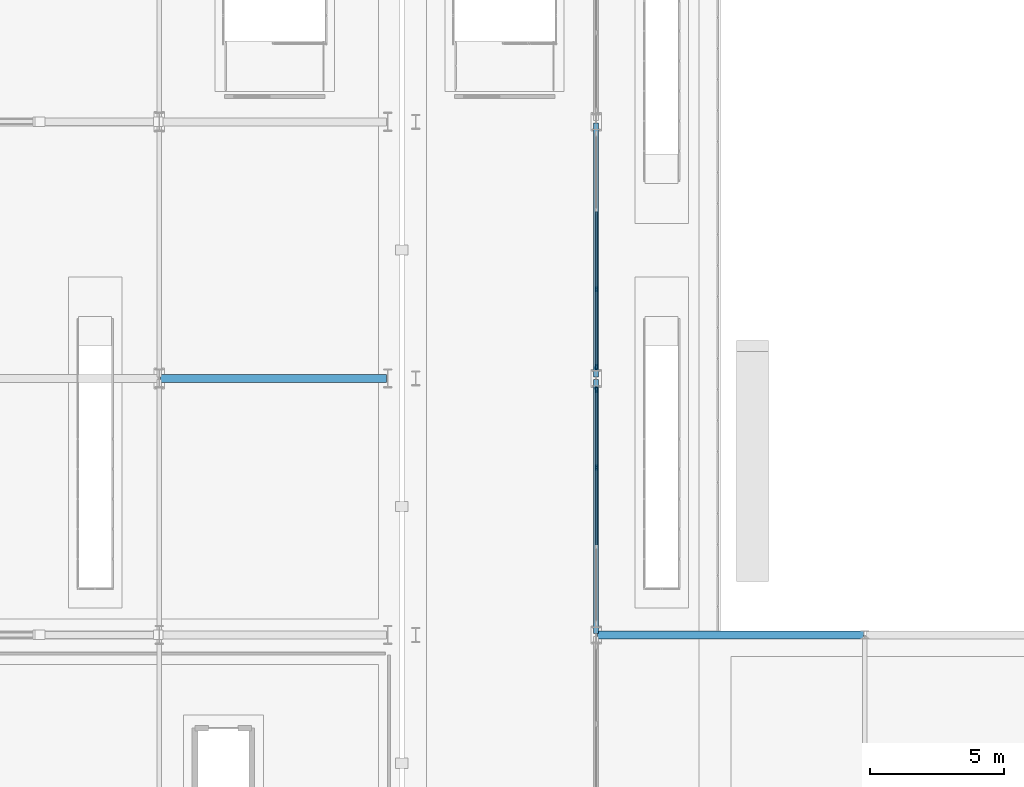
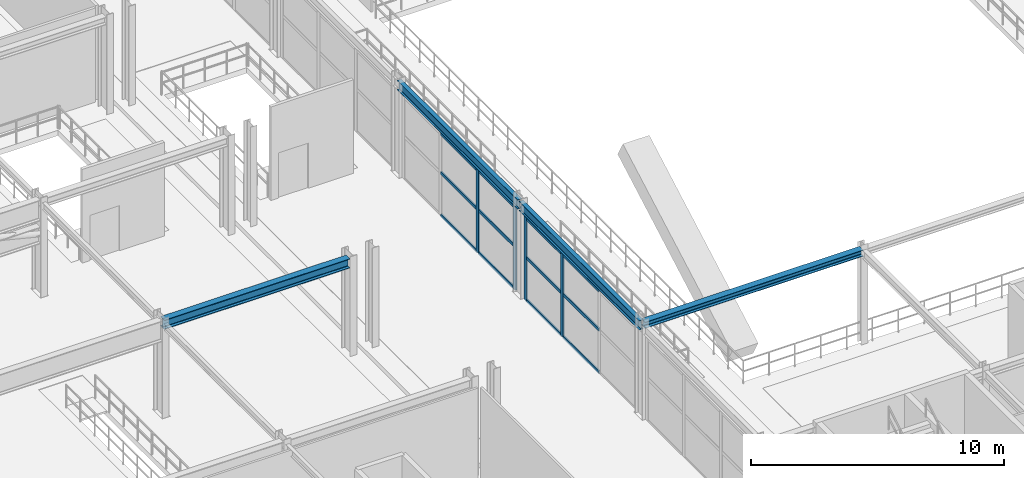
# One storey, part 38 of 125: 16 members, 4 beams, 2 elements without a shape of their own.
"""IFC4 building model written with IfcOpenShell, lengths in metres."""

from ifc_helpers import new_model, si_unit, direction, frame, origin, origin_2d, place, context, subcontext, project, spatial, rectangle, i_section, extrude, material, layer, layer_set, material_profile, profile_set, type_object, element, aggregate, save


model = new_model("IFC4")

# Units and contexts
model_context = context("Model", 3, precision=1e-05, world=origin(), true_north=direction((0.0, 1.0)))
body_context = subcontext(model_context, "Body", "Model", "MODEL_VIEW")
ifc_project = project(units=[si_unit("LENGTHUNIT", "METRE"), si_unit("AREAUNIT", "SQUARE_METRE"), si_unit("VOLUMEUNIT", "CUBIC_METRE"), si_unit("PLANEANGLEUNIT", "RADIAN"), si_unit("MASSUNIT", "GRAM", prefix="KILO")], contexts=[model_context])

# Site, building, storey
site_placement = place(None, origin())
site = spatial("IfcSite", under=ifc_project, at=site_placement, CompositionType="ELEMENT")
building_placement = place(site_placement, origin())
building = spatial("IfcBuilding", under=site, at=building_placement, Name="Myrtia Square Station", CompositionType="ELEMENT")
storey_placement = place(building_placement, frame((0.0, 0.0, 6.0)))
storey = spatial("IfcBuildingStorey", under=building, at=storey_placement, Name="L01", CompositionType="ELEMENT", Elevation=6.0)

# Beams
ifc_material_1 = material(Name="Steel S355", Category="steel")
ifc_material_profile_1 = material_profile(ifc_material_1, i_section(OverallWidth=0.300048828125, OverallDepth=0.300048828125, WebThickness=0.010986328125, FlangeThickness=0.01904296875, FilletRadius=0.027099609375, at=origin_2d()), Name="HEB 300")
ifc_profile_set_1 = profile_set([ifc_material_profile_1], Name="Steel S355")
beam_type_1 = type_object("IfcBeamType", Name="BM-HEB300", PredefinedType="BEAM", material=ifc_profile_set_1)
beam_1_placement = place(storey_placement, frame((79.39990234375, 48.0, 4.39990234375), z_axis=(1.0, 0.0, 0.0), x_axis=(0.0, 1.0, 0.0)))
element("IfcBeam", 1, at=beam_1_placement, inside=storey, type_object=beam_type_1, Name="Structural girder BMX-L01-0540", PredefinedType="BEAM", context=body_context, shape_type="SweptSolid", body=[
    extrude(i_section(OverallWidth=0.300048828125, OverallDepth=0.300048828125, WebThickness=0.010986328125, FlangeThickness=0.01904296875, FilletRadius=0.027099609375, at=origin_2d()), origin(), (0.0, 0.0, 1.0), 9.9501953125),
])
ifc_material_profile_2 = material_profile(ifc_material_1, i_section(OverallWidth=0.300048828125, OverallDepth=0.449951171875, WebThickness=0.013916015625, FlangeThickness=0.02587890625, FilletRadius=0.027099609375, at=origin_2d()), Name="HEB 450")
ifc_profile_set_2 = profile_set([ifc_material_profile_2], Name="Steel S355")
beam_type_2 = type_object("IfcBeamType", Name="BM-HEB450", PredefinedType="BEAM", material=ifc_profile_set_2)
beam_2_placement = place(storey_placement, frame((63.050048828125, 57.60009765625, 4.330078125), z_axis=(1.0, 0.0, 0.0), x_axis=(0.0, 1.0, 0.0)))
element("IfcBeam", 2, at=beam_2_placement, inside=storey, type_object=beam_type_2, Name="Structural girder BMX-L01-0471", PredefinedType="BEAM", context=body_context, shape_type="SweptSolid", body=[
    extrude(i_section(OverallWidth=0.300048828125, OverallDepth=0.449951171875, WebThickness=0.013916015625, FlangeThickness=0.02587890625, FilletRadius=0.027099609375, at=origin_2d()), origin(), (0.0, 0.0, 1.0), 8.449951171875),
])
ifc_material_profile_3 = material_profile(ifc_material_1, i_section(OverallWidth=0.18994140625, OverallDepth=0.449951171875, WebThickness=0.009521484375, FlangeThickness=0.0146484375, FilletRadius=0.02099609375, at=origin_2d()), Name="IPE 450")
ifc_profile_set_3 = profile_set([ifc_material_profile_3], Name="Steel S355")
beam_type_3 = type_object("IfcBeamType", Name="BM-IPE450", PredefinedType="BEAM", material=ifc_profile_set_3)
for number, where, z_axis, x_axis, name in (
    (3, (79.35009765625, 48.050048828125, 4.324951171875), (0.0, 1.0, 0.0), (-1.0, 0.0, 0.0), "Structural girder BMY-L01-0554"),
    (4, (79.35009765625, 57.64990234375, 4.324951171875), (0.0, 1.0, 0.0), (-1.0, 0.0, 0.0), "Structural girder BMY-L01-0555"),
):
    element("IfcBeam", number, at=place(storey_placement, frame(where, z_axis=z_axis, x_axis=x_axis)), inside=storey, type_object=beam_type_3, Name=name, PredefinedType="BEAM", context=body_context, shape_type="SweptSolid", body=[
        extrude(i_section(OverallWidth=0.18994140625, OverallDepth=0.449951171875, WebThickness=0.009521484375, FlangeThickness=0.0146484375, FilletRadius=0.02099609375, at=origin_2d()), origin(), (0.0, 0.0, 1.0), 9.5),
    ])

# Curtain wall, members
ifc_material_2 = material(Name="Dark bronze anodised aluminium", Category="aluminium")
ifc_layer = layer(ifc_material_2, 0.159912109375, Name="Dark bronze anodised aluminium")
ifc_layer_set = layer_set([ifc_layer], Name="Dark bronze anodised aluminium")
curtain_wall_type = type_object("IfcCurtainWallType", Name="CW-TYPE-03-880x400", PredefinedType="USERDEFINED", material=ifc_layer_set)
curtain_wall_1_placement = place(storey_placement, origin())
curtain_wall_1 = element("IfcCurtainWall", 5, at=curtain_wall_1_placement, inside=storey, type_object=curtain_wall_type, Name="Concourse curtain wall CW-L01-009", ObjectType="CONCOURSE CURTAIN WALL", PredefinedType="USERDEFINED")
ifc_material_profile_4 = material_profile(ifc_material_2, rectangle(XDim=0.06494140625, YDim=0.199951171875, at=origin_2d()), Name="ALU-M 65x200")
ifc_profile_set_4 = profile_set([ifc_material_profile_4], Name="Dark bronze anodised aluminium")
member_type_1 = type_object("IfcMemberType", Name="CWM-65x200", PredefinedType="MULLION", material=ifc_profile_set_4)
member_1_placement = place(storey_placement, frame((79.35009765625, 54.2666015625, 0.0), z_axis=(0.0, 0.0, 1.0), x_axis=(-1.0, 0.0, 0.0)))
member_1 = element("IfcMember", 6, at=member_1_placement, type_object=member_type_1, Name="CW-009 mullion 3", PredefinedType="MULLION", context=body_context, shape_type="SweptSolid", body=[
    extrude(rectangle(XDim=0.06494140625, YDim=0.199951171875, at=origin_2d()), origin(), (0.0, 0.0, 1.0), 4.0),
])
member_2_placement = place(storey_placement, frame((79.35009765625, 57.16748046875, 0.0), z_axis=(0.0, 0.0, 1.0), x_axis=(-1.0, 0.0, 0.0)))
member_2 = element("IfcMember", 7, at=member_2_placement, type_object=member_type_1, Name="CW-009 mullion 4", PredefinedType="MULLION", context=body_context, shape_type="SweptSolid", body=[
    extrude(rectangle(XDim=0.06494140625, YDim=0.199951171875, at=origin_2d()), origin(), (0.0, 0.0, 1.0), 4.0),
])

curtain_wall_2_placement = place(storey_placement, origin())
curtain_wall_2 = element("IfcCurtainWall", 8, at=curtain_wall_2_placement, inside=storey, type_object=curtain_wall_type, Name="Concourse curtain wall CW-L01-011", ObjectType="CONCOURSE CURTAIN WALL", PredefinedType="USERDEFINED")
member_3_placement = place(storey_placement, frame((79.35009765625, 58.032470703125, 0.0), z_axis=(0.0, 0.0, 1.0), x_axis=(-1.0, 0.0, 0.0)))
member_3 = element("IfcMember", 9, at=member_3_placement, type_object=member_type_1, Name="CW-011 mullion 1", PredefinedType="MULLION", context=body_context, shape_type="SweptSolid", body=[
    extrude(rectangle(XDim=0.06494140625, YDim=0.199951171875, at=origin_2d()), origin(), (0.0, 0.0, 1.0), 4.0),
])
member_4_placement = place(storey_placement, frame((79.35009765625, 60.933349609375, 0.0), z_axis=(0.0, 0.0, 1.0), x_axis=(-1.0, 0.0, 0.0)))
member_4 = element("IfcMember", 10, at=member_4_placement, type_object=member_type_1, Name="CW-011 mullion 2", PredefinedType="MULLION", context=body_context, shape_type="SweptSolid", body=[
    extrude(rectangle(XDim=0.06494140625, YDim=0.199951171875, at=origin_2d()), origin(), (0.0, 0.0, 1.0), 4.0),
])

# Member
ifc_material_profile_5 = material_profile(ifc_material_2, rectangle(XDim=0.06494140625, YDim=0.14990234375, at=origin_2d()), Name="ALU-T 65x150")
ifc_profile_set_5 = profile_set([ifc_material_profile_5], Name="Dark bronze anodised aluminium")
member_type_2 = type_object("IfcMemberType", Name="CWT-65x150", PredefinedType="USERDEFINED", material=ifc_profile_set_5)
member_5_placement = place(storey_placement, frame((79.35009765625, 51.36572265625, 0.032470703125), z_axis=(0.0, 1.0, 0.0), x_axis=(-1.0, 0.0, 0.0)))
member_5 = element("IfcMember", 11, at=member_5_placement, type_object=member_type_2, Name="CW-009 transom 2.1", ObjectType="TRANSOM", PredefinedType="USERDEFINED", context=body_context, shape_type="SweptSolid", body=[
    extrude(rectangle(XDim=0.06494140625, YDim=0.14990234375, at=origin_2d()), origin(), (0.0, 0.0, 1.0), 2.868408203125),
])

member_6_placement = place(storey_placement, frame((79.35009765625, 51.36572265625, 2.080078125), z_axis=(0.0, 1.0, 0.0), x_axis=(-1.0, 0.0, 0.0)))
member_6 = element("IfcMember", 12, at=member_6_placement, type_object=member_type_2, Name="CW-009 transom 2.2", ObjectType="TRANSOM", PredefinedType="USERDEFINED", context=body_context, shape_type="SweptSolid", body=[
    extrude(rectangle(XDim=0.06494140625, YDim=0.14990234375, at=origin_2d()), origin(), (0.0, 0.0, 1.0), 2.868408203125),
])

member_7_placement = place(storey_placement, frame((79.35009765625, 51.36572265625, 3.967529296875), z_axis=(0.0, 1.0, 0.0), x_axis=(-1.0, 0.0, 0.0)))
member_7 = element("IfcMember", 13, at=member_7_placement, type_object=member_type_2, Name="CW-009 transom 2.3", ObjectType="TRANSOM", PredefinedType="USERDEFINED", context=body_context, shape_type="SweptSolid", body=[
    extrude(rectangle(XDim=0.06494140625, YDim=0.14990234375, at=origin_2d()), origin(), (0.0, 0.0, 1.0), 2.868408203125),
])

member_8_placement = place(storey_placement, frame((79.35009765625, 54.299072265625, 0.032470703125), z_axis=(0.0, 1.0, 0.0), x_axis=(-1.0, 0.0, 0.0)))
member_8 = element("IfcMember", 14, at=member_8_placement, type_object=member_type_2, Name="CW-009 transom 3.1", ObjectType="TRANSOM", PredefinedType="USERDEFINED", context=body_context, shape_type="SweptSolid", body=[
    extrude(rectangle(XDim=0.06494140625, YDim=0.14990234375, at=origin_2d()), origin(), (0.0, 0.0, 1.0), 2.8359375),
])

member_9_placement = place(storey_placement, frame((79.35009765625, 54.299072265625, 2.080078125), z_axis=(0.0, 1.0, 0.0), x_axis=(-1.0, 0.0, 0.0)))
member_9 = element("IfcMember", 15, at=member_9_placement, type_object=member_type_2, Name="CW-009 transom 3.2", ObjectType="TRANSOM", PredefinedType="USERDEFINED", context=body_context, shape_type="SweptSolid", body=[
    extrude(rectangle(XDim=0.06494140625, YDim=0.14990234375, at=origin_2d()), origin(), (0.0, 0.0, 1.0), 2.8359375),
])

member_10_placement = place(storey_placement, frame((79.35009765625, 54.299072265625, 3.967529296875), z_axis=(0.0, 1.0, 0.0), x_axis=(-1.0, 0.0, 0.0)))
member_10 = element("IfcMember", 16, at=member_10_placement, type_object=member_type_2, Name="CW-009 transom 3.3", ObjectType="TRANSOM", PredefinedType="USERDEFINED", context=body_context, shape_type="SweptSolid", body=[
    extrude(rectangle(XDim=0.06494140625, YDim=0.14990234375, at=origin_2d()), origin(), (0.0, 0.0, 1.0), 2.8359375),
])

aggregate(curtain_wall_1, [member_1, member_2, member_5, member_6, member_7, member_8, member_9, member_10])

member_11_placement = place(storey_placement, frame((79.35009765625, 58.06494140625, 0.032470703125), z_axis=(0.0, 1.0, 0.0), x_axis=(-1.0, 0.0, 0.0)))
member_11 = element("IfcMember", 17, at=member_11_placement, type_object=member_type_2, Name="CW-011 transom 1.1", ObjectType="TRANSOM", PredefinedType="USERDEFINED", context=body_context, shape_type="SweptSolid", body=[
    extrude(rectangle(XDim=0.06494140625, YDim=0.14990234375, at=origin_2d()), origin(), (0.0, 0.0, 1.0), 2.8359375),
])

member_12_placement = place(storey_placement, frame((79.35009765625, 58.06494140625, 2.080078125), z_axis=(0.0, 1.0, 0.0), x_axis=(-1.0, 0.0, 0.0)))
member_12 = element("IfcMember", 18, at=member_12_placement, type_object=member_type_2, Name="CW-011 transom 1.2", ObjectType="TRANSOM", PredefinedType="USERDEFINED", context=body_context, shape_type="SweptSolid", body=[
    extrude(rectangle(XDim=0.06494140625, YDim=0.14990234375, at=origin_2d()), origin(), (0.0, 0.0, 1.0), 2.8359375),
])

member_13_placement = place(storey_placement, frame((79.35009765625, 58.06494140625, 3.967529296875), z_axis=(0.0, 1.0, 0.0), x_axis=(-1.0, 0.0, 0.0)))
member_13 = element("IfcMember", 19, at=member_13_placement, type_object=member_type_2, Name="CW-011 transom 1.3", ObjectType="TRANSOM", PredefinedType="USERDEFINED", context=body_context, shape_type="SweptSolid", body=[
    extrude(rectangle(XDim=0.06494140625, YDim=0.14990234375, at=origin_2d()), origin(), (0.0, 0.0, 1.0), 2.8359375),
])

member_14_placement = place(storey_placement, frame((79.35009765625, 60.9658203125, 0.032470703125), z_axis=(0.0, 1.0, 0.0), x_axis=(-1.0, 0.0, 0.0)))
member_14 = element("IfcMember", 20, at=member_14_placement, type_object=member_type_2, Name="CW-011 transom 2.1", ObjectType="TRANSOM", PredefinedType="USERDEFINED", context=body_context, shape_type="SweptSolid", body=[
    extrude(rectangle(XDim=0.06494140625, YDim=0.14990234375, at=origin_2d()), origin(), (0.0, 0.0, 1.0), 2.868408203125),
])

member_15_placement = place(storey_placement, frame((79.35009765625, 60.9658203125, 2.080078125), z_axis=(0.0, 1.0, 0.0), x_axis=(-1.0, 0.0, 0.0)))
member_15 = element("IfcMember", 21, at=member_15_placement, type_object=member_type_2, Name="CW-011 transom 2.2", ObjectType="TRANSOM", PredefinedType="USERDEFINED", context=body_context, shape_type="SweptSolid", body=[
    extrude(rectangle(XDim=0.06494140625, YDim=0.14990234375, at=origin_2d()), origin(), (0.0, 0.0, 1.0), 2.868408203125),
])

member_16_placement = place(storey_placement, frame((79.35009765625, 60.9658203125, 3.967529296875), z_axis=(0.0, 1.0, 0.0), x_axis=(-1.0, 0.0, 0.0)))
member_16 = element("IfcMember", 22, at=member_16_placement, type_object=member_type_2, Name="CW-011 transom 2.3", ObjectType="TRANSOM", PredefinedType="USERDEFINED", context=body_context, shape_type="SweptSolid", body=[
    extrude(rectangle(XDim=0.06494140625, YDim=0.14990234375, at=origin_2d()), origin(), (0.0, 0.0, 1.0), 2.868408203125),
])

aggregate(curtain_wall_2, [member_3, member_4, member_11, member_12, member_13, member_14, member_15, member_16])

save(model, "model.ifc")
